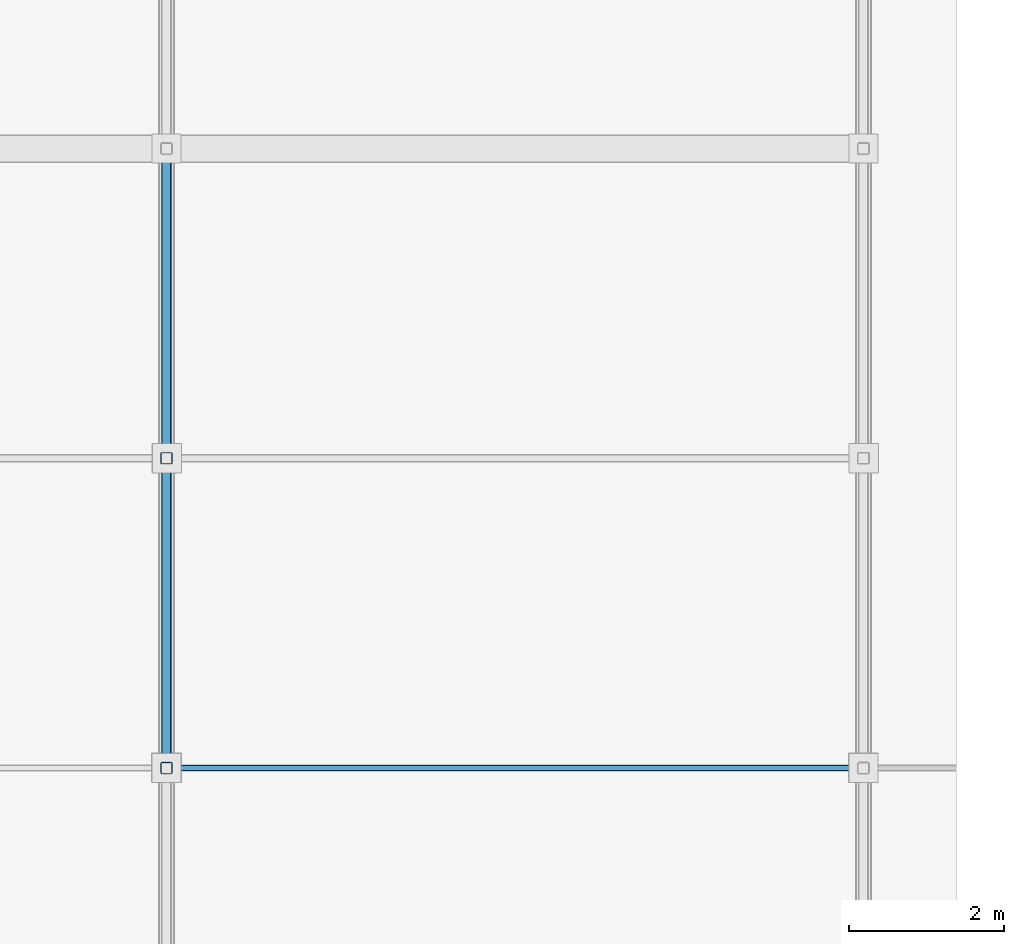
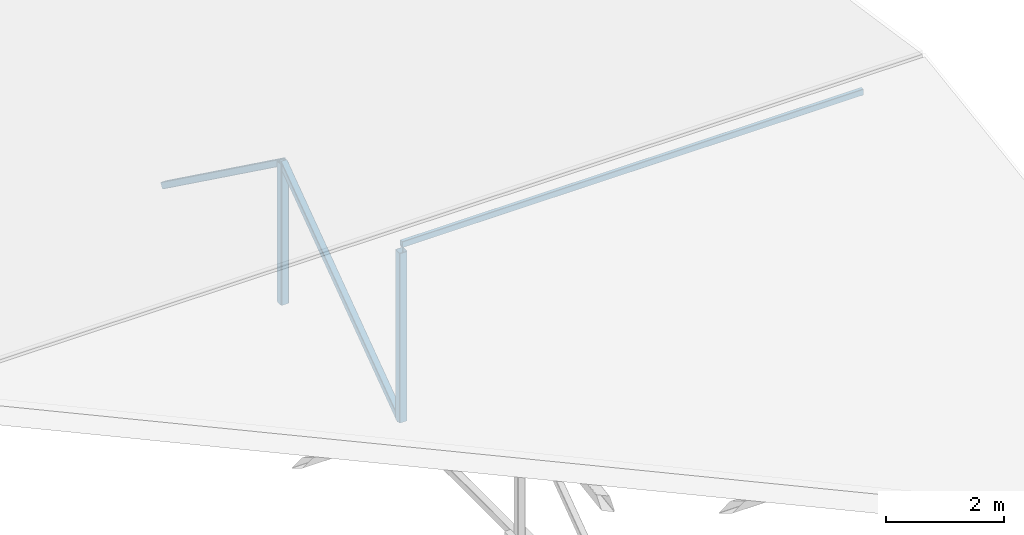
# One storey, part 20 of 118: 5 members.
"""IFC4 building model written with IfcOpenShell, lengths in metres."""

from ifc_helpers import new_model, si_unit, direction, frame, origin, origin_2d, place, context, subcontext, project, spatial, hollow_rectangle, extrude, material, material_profile, profile_set, type_object, element, save


model = new_model("IFC4")

# Units and contexts
model_context = context("Model", 3, precision=1e-05, world=origin(), true_north=direction((0.0, 1.0)))
body_context = subcontext(model_context, "Body", "Model", "MODEL_VIEW")
ifc_project = project(units=[si_unit("LENGTHUNIT", "METRE"), si_unit("AREAUNIT", "SQUARE_METRE"), si_unit("VOLUMEUNIT", "CUBIC_METRE"), si_unit("PLANEANGLEUNIT", "RADIAN"), si_unit("MASSUNIT", "GRAM", prefix="KILO"), si_unit("THERMODYNAMICTEMPERATUREUNIT", "KELVIN"), si_unit("POWERUNIT", "WATT")], contexts=[model_context])

# Site, building, storey
site_placement = place(None, origin())
site = spatial("IfcSite", under=ifc_project, at=site_placement, CompositionType="ELEMENT")
building_placement = place(site_placement, origin())
building = spatial("IfcBuilding", under=site, at=building_placement, Name="Zelmaris Science Centre", CompositionType="ELEMENT")
storey_placement = place(building_placement, frame((0.0, 0.0, 15.60009765625)))
storey = spatial("IfcBuildingStorey", under=building, at=storey_placement, Name="L03", CompositionType="ELEMENT", Elevation=15.60009765625)

# Members
ifc_material = material(Name="Steel ASTM A500 Grade C", Category="steel")
ifc_material_profile_1 = material_profile(ifc_material, hollow_rectangle(XDim=0.076171875, YDim=0.126953125, WallThickness=0.005859375, InnerFilletRadius=0.005859375, OuterFilletRadius=0.01171875, at=origin_2d()), Name="HSS127X76X6")
ifc_profile_set_1 = profile_set([ifc_material_profile_1], Name="Steel ASTM A500 Grade C")
member_type_1 = type_object("IfcMemberType", Name="Roof Purlin PR-06 HSS127X76X6", PredefinedType="PURLIN", material=ifc_profile_set_1)
member_1_placement = place(storey_placement, frame((45.0, 24.0, 3.52880859375), z_axis=(1.0, 0.0, 0.0), x_axis=(0.0, 1.0, 0.0)))
element("IfcMember", 1, at=member_1_placement, inside=storey, type_object=member_type_1, Name="RF-V3 Roof purlin 41", PredefinedType="PURLIN", context=body_context, shape_type="SweptSolid", body=[
    extrude(hollow_rectangle(XDim=0.076171875, YDim=0.126953125, WallThickness=0.005859375, InnerFilletRadius=0.005859375, OuterFilletRadius=0.01171875, at=origin_2d()), origin(), (0.0, 0.0, 1.0), 9.0),
])
ifc_material_profile_2 = material_profile(ifc_material, hollow_rectangle(XDim=0.15234375, YDim=0.15234375, WallThickness=0.0087890625, InnerFilletRadius=0.0087890625, OuterFilletRadius=0.017822265625, at=origin_2d()), Name="HSS152X152X10")
ifc_profile_set_2 = profile_set([ifc_material_profile_2], Name="Steel ASTM A500 Grade C")
member_type_2 = type_object("IfcMemberType", Name="Structural Brace BR-03 HSS152X152X10", PredefinedType="BRACE", material=ifc_profile_set_2)
member_2_placement = place(storey_placement, frame((45.0, 24.0, -0.1044921875), z_axis=(0.0, 0.0, 1.0), x_axis=(1.0, 0.0, 0.0)))
element("IfcMember", 2, at=member_2_placement, inside=storey, type_object=member_type_2, Name="RF-V3 Roof truss 5 vertical web 4", PredefinedType="BRACE", context=body_context, shape_type="SweptSolid", body=[
    extrude(hollow_rectangle(XDim=0.15234375, YDim=0.15234375, WallThickness=0.0087890625, InnerFilletRadius=0.0087890625, OuterFilletRadius=0.017822265625, at=origin_2d()), origin(), (0.0, 0.0, 1.0), 3.5),
])
member_3_placement = place(storey_placement, frame((45.0, 28.0, -0.1044921875), z_axis=(0.0, 0.0, 1.0), x_axis=(1.0, 0.0, 0.0)))
element("IfcMember", 3, at=member_3_placement, inside=storey, type_object=member_type_2, Name="RF-V3 Roof truss 5 vertical web 5", PredefinedType="BRACE", context=body_context, shape_type="SweptSolid", body=[
    extrude(hollow_rectangle(XDim=0.15234375, YDim=0.15234375, WallThickness=0.0087890625, InnerFilletRadius=0.0087890625, OuterFilletRadius=0.017822265625, at=origin_2d()), origin(), (0.0, 0.0, 1.0), 2.900146484375),
])
ifc_material_profile_3 = material_profile(ifc_material, hollow_rectangle(XDim=0.126953125, YDim=0.126953125, WallThickness=0.00732421875, InnerFilletRadius=0.00732421875, OuterFilletRadius=0.014892578125, at=origin_2d()), Name="HSS127X127X8")
ifc_profile_set_3 = profile_set([ifc_material_profile_3], Name="Steel ASTM A500 Grade C")
member_type_3 = type_object("IfcMemberType", Name="Structural Brace BR-04 HSS127X127X8", PredefinedType="BRACE", material=ifc_profile_set_3)
for number, where, z_axis, x_axis, name in (
    (4, (45.0, 24.0, -0.1044921875), (0.0, 0.80959635384, 0.586987004838), (-1.0, 0.0, 0.0), "RF-V3 Roof truss 5 web diagonal 5"),
    (5, (45.0, 28.0, 2.795654296875), (0.0, 0.80959635384, -0.586987004838), (-1.0, 0.0, 0.0), "RF-V3 Roof truss 5 web diagonal 6"),
):
    element("IfcMember", number, at=place(storey_placement, frame(where, z_axis=z_axis, x_axis=x_axis)), inside=storey, type_object=member_type_3, Name=name, PredefinedType="BRACE", context=body_context, shape_type="SweptSolid", body=[
        extrude(hollow_rectangle(XDim=0.126953125, YDim=0.126953125, WallThickness=0.00732421875, InnerFilletRadius=0.00732421875, OuterFilletRadius=0.014892578125, at=origin_2d()), origin(), (0.0, 0.0, 1.0), 4.940673828125),
    ])

save(model, "model.ifc")
